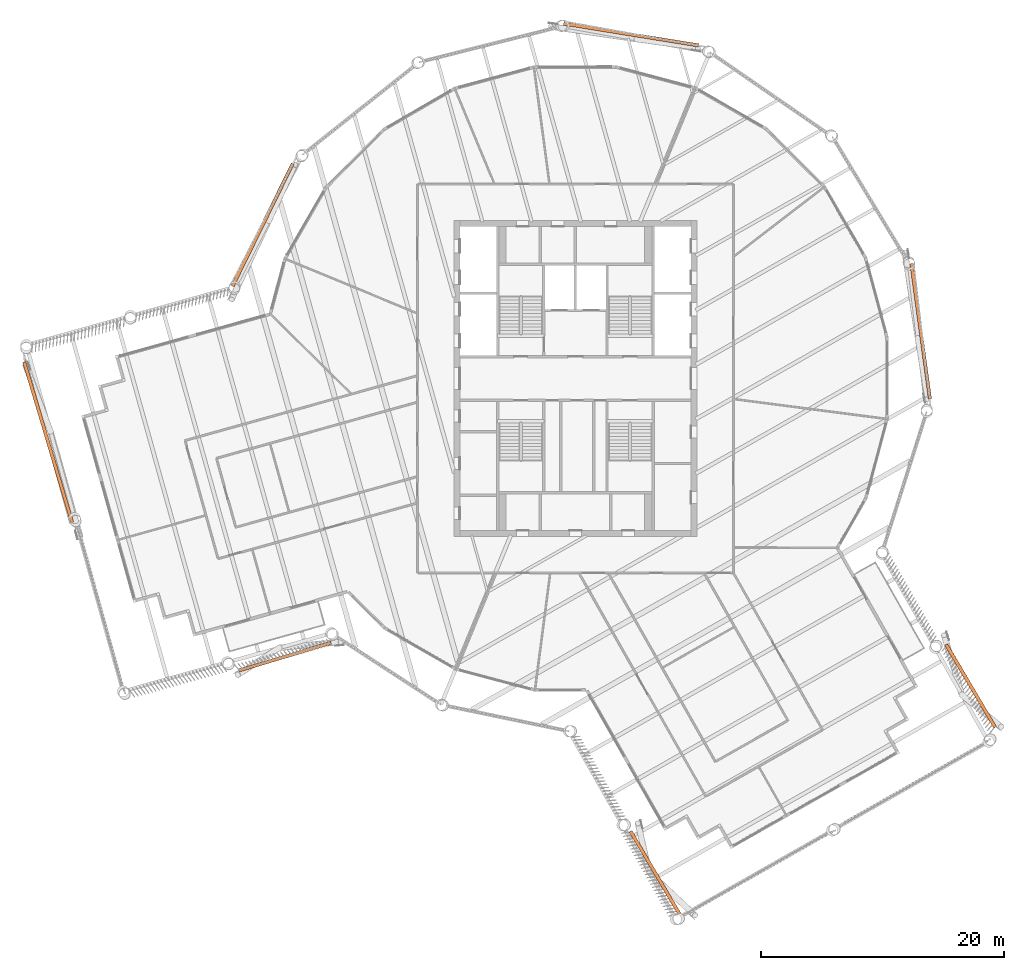
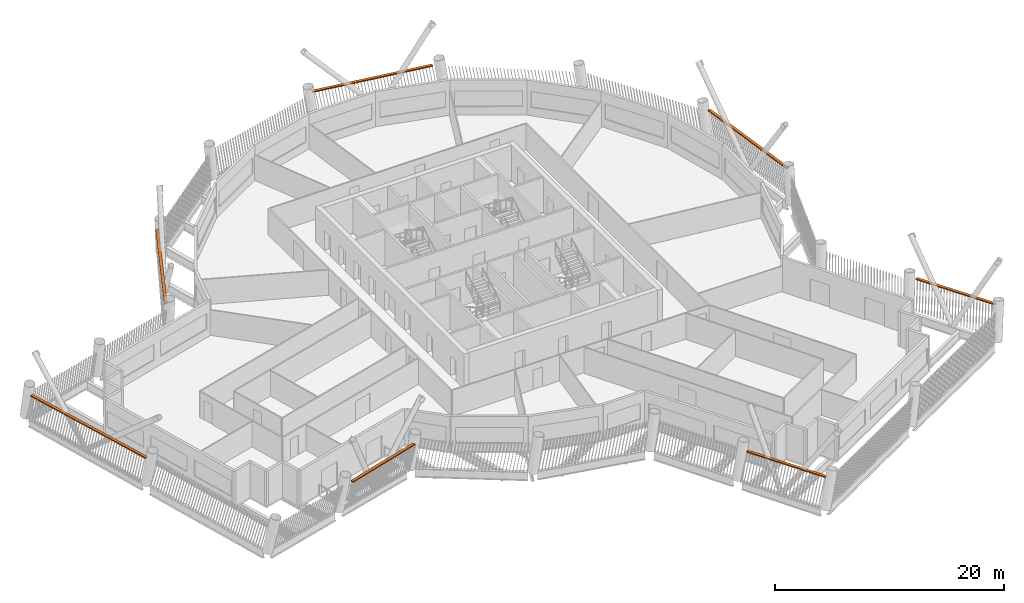
# One storey, part 21 of 21: 7 proxies.
"""IFC4 building model written with IfcOpenShell, lengths in metres."""

from ifc_helpers import new_model, si_unit, direction, frame, origin, origin_2d, place, context, subcontext, project, spatial, rectangle, extrude, material, type_object, element, save


model = new_model("IFC4")

# Units and contexts
model_context = context("Model", 3, precision=1e-05, world=origin(), true_north=direction((0.0, 1.0)))
body_context = subcontext(model_context, "Body", "Model", "MODEL_VIEW")
ifc_project = project(units=[si_unit("LENGTHUNIT", "METRE"), si_unit("AREAUNIT", "SQUARE_METRE"), si_unit("VOLUMEUNIT", "CUBIC_METRE"), si_unit("PLANEANGLEUNIT", "RADIAN"), si_unit("MASSUNIT", "GRAM", prefix="KILO")], contexts=[model_context])

# Site, building, storey
site_placement = place(None, origin())
site = spatial("IfcSite", under=ifc_project, at=site_placement, CompositionType="ELEMENT")
building_placement = place(site_placement, origin())
building = spatial("IfcBuilding", under=site, at=building_placement, Name="Tarsis Ring Headquarters", CompositionType="ELEMENT")
storey_placement = place(building_placement, frame((0.0, 0.0, 347.0)))
storey = spatial("IfcBuildingStorey", under=building, at=storey_placement, Name="L82", CompositionType="ELEMENT", Elevation=347.0)

# Proxies
ifc_material = material(Name="Structural steel S355", Category="steel")
building_element_proxy_type = type_object("IfcBuildingElementProxyType", Name="Screen bracket plate", PredefinedType="USERDEFINED", material=ifc_material)
for number, where, z_axis, x_axis, name in (
    (1, (6.556640625, -40.68798828125, 2.9677734375), (0.0, 0.0, 1.0), (0.509642172913, -0.860386457116, 0.0), "Screen bracket L82-02"),
    (2, (32.53173828125, -25.3017578125, 2.9677734375), (0.0, 0.0, 1.0), (-0.509642263013, 0.860386403746, 0.0), "Screen bracket L82-05"),
):
    element("IfcBuildingElementProxy", number, at=place(storey_placement, frame(where, z_axis=z_axis, x_axis=x_axis)), inside=storey, type_object=building_element_proxy_type, Name=name, ObjectType="Bracket", PredefinedType="USERDEFINED", context=body_context, shape_type="SweptSolid", body=[
        extrude(rectangle(XDim=7.90234375, YDim=0.280029296875, at=origin_2d()), origin(), (0.0, 0.0, 1.0), 0.1201171875),
    ])
for number, where, z_axis, x_axis, name in (
    (3, (28.42626953125, 3.8857421875, 2.9677734375), (0.0, 0.0, 1.0), (-0.135434990056, 0.990786235001, 0.0), "Screen bracket L82-08"),
    (4, (4.58154296875, 28.322265625, 2.9677734375), (0.0, 0.0, 1.0), (-0.987167633068, 0.159687395317, 0.0), "Screen bracket L82-11"),
    (5, (-25.75146484375, 12.649658203125, 2.9677734375), (0.0, 0.0, 1.0), (-0.440899361123, -0.897556546052, 0.0), "Screen bracket L82-14"),
):
    element("IfcBuildingElementProxy", number, at=place(storey_placement, frame(where, z_axis=z_axis, x_axis=x_axis)), inside=storey, type_object=building_element_proxy_type, Name=name, ObjectType="Bracket", PredefinedType="USERDEFINED", context=body_context, shape_type="SweptSolid", body=[
        extrude(rectangle(XDim=11.248779296875, YDim=0.280029296875, at=origin_2d()), origin(), (0.0, 0.0, 1.0), 0.1201171875),
    ])
proxy_1_placement = place(storey_placement, frame((-43.409423828125, -5.25048828125, 2.9677734375), z_axis=(0.0, 0.0, 1.0), x_axis=(0.286357299654, -0.958122902834, 0.0)))
element("IfcBuildingElementProxy", 6, at=proxy_1_placement, inside=storey, type_object=building_element_proxy_type, Name="Screen bracket L82-17", ObjectType="Bracket", PredefinedType="USERDEFINED", context=body_context, shape_type="SweptSolid", body=[
    extrude(rectangle(XDim=13.800048828125, YDim=0.280029296875, at=origin_2d()), origin(), (0.0, 0.0, 1.0), 0.1201171875),
])
proxy_2_placement = place(storey_placement, frame((-23.890869140625, -22.89501953125, 2.9677734375), z_axis=(0.0, 0.0, 1.0), x_axis=(0.958122907832, 0.286357282932, 0.0)))
element("IfcBuildingElementProxy", 7, at=proxy_2_placement, inside=storey, type_object=building_element_proxy_type, Name="Screen bracket L82-20", ObjectType="Bracket", PredefinedType="USERDEFINED", context=body_context, shape_type="SweptSolid", body=[
    extrude(rectangle(XDim=7.90234375, YDim=0.280029296875, at=origin_2d()), origin(), (0.0, 0.0, 1.0), 0.1201171875),
])

save(model, "model.ifc")
